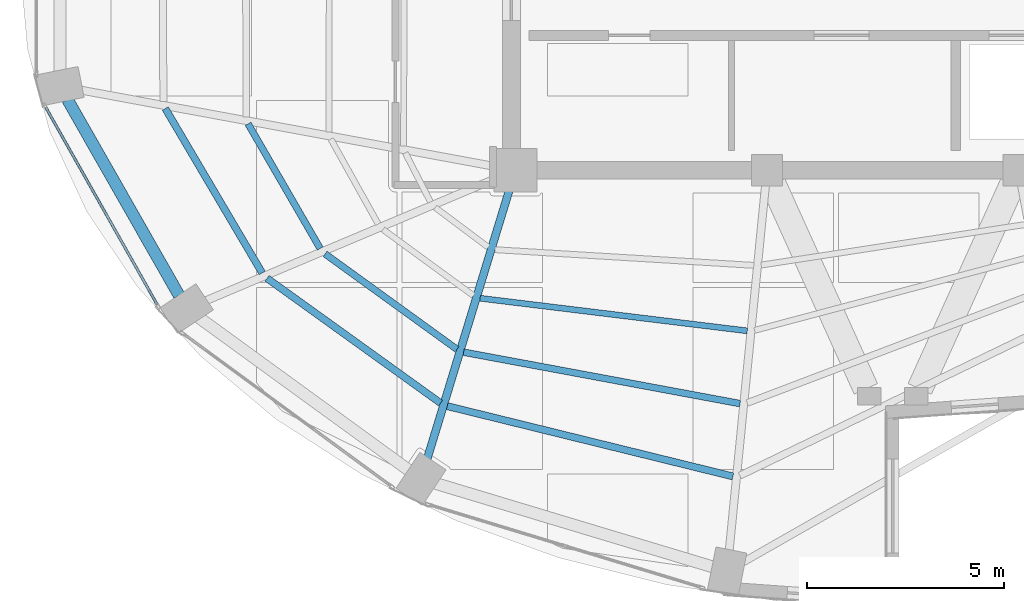
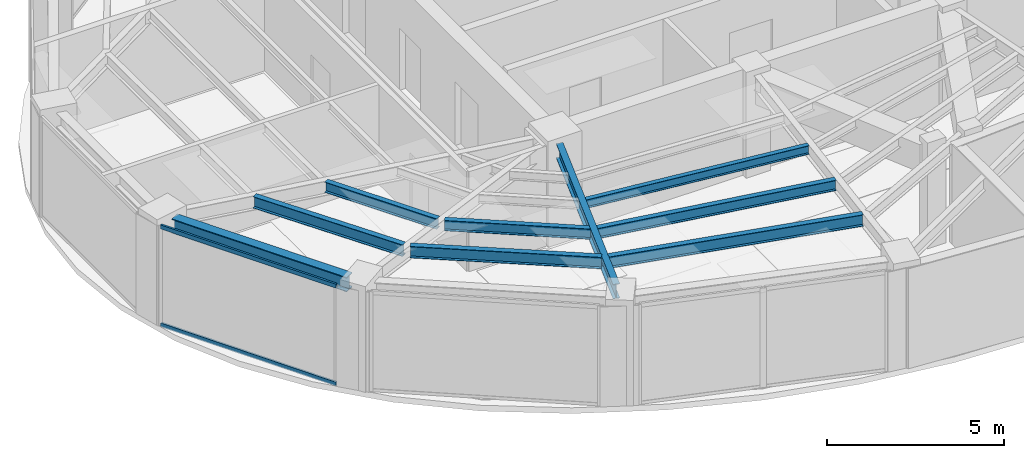
# One storey, part 3 of 23: 9 beams, 2 members, 1 element without a shape of its own.
"""IFC4 building model written with IfcOpenShell, lengths in metres."""

from ifc_helpers import new_model, si_unit, direction, frame, origin, origin_2d, place, context, subcontext, project, spatial, hollow_rectangle, i_section, extrude, material, layer, layer_set, material_profile, profile_set, type_object, element, aggregate, save


model = new_model("IFC4")

# Units and contexts
model_context = context("Model", 3, precision=1e-05, world=origin(), true_north=direction((0.0, 1.0)))
body_context = subcontext(model_context, "Body", "Model", "MODEL_VIEW")
ifc_project = project(units=[si_unit("LENGTHUNIT", "METRE"), si_unit("AREAUNIT", "SQUARE_METRE"), si_unit("VOLUMEUNIT", "CUBIC_METRE"), si_unit("PLANEANGLEUNIT", "RADIAN"), si_unit("MASSUNIT", "GRAM", prefix="KILO")], contexts=[model_context])

# Site, building, storey
site_placement = place(None, origin())
site = spatial("IfcSite", under=ifc_project, at=site_placement, CompositionType="ELEMENT")
building_placement = place(site_placement, origin())
building = spatial("IfcBuilding", under=site, at=building_placement, Name="Lazwardi Medical Tower", CompositionType="ELEMENT")
storey_placement = place(building_placement, frame((0.0, 0.0, 262.320068359375)))
storey = spatial("IfcBuildingStorey", under=building, at=storey_placement, Name="L68", CompositionType="ELEMENT", Elevation=262.320068359375)

# Beams
ifc_material_1 = material(Name="Steel S355", Category="steel")
ifc_material_profile_1 = material_profile(ifc_material_1, i_section(OverallWidth=0.300048828125, OverallDepth=0.5, WebThickness=0.014404296875, FlangeThickness=0.028076171875, at=origin_2d()), Name="HEB 500")
ifc_profile_set_1 = profile_set([ifc_material_profile_1], Name="Steel S355")
beam_type_1 = type_object("IfcBeamType", Name="BM-RB-Z4", PredefinedType="BEAM", material=ifc_profile_set_1)
beam_1_placement = place(storey_placement, frame((15.008056640625, 22.1982421875, 3.197998046875), z_axis=(0.495125273299, -0.868821594886, 0.0), x_axis=(0.868821594886, 0.495125273299, 0.0)))
element("IfcBeam", 1, at=beam_1_placement, inside=storey, type_object=beam_type_1, Name="Ring beam RB-05 B13 L68", PredefinedType="BEAM", context=body_context, shape_type="SweptSolid", body=[
    extrude(i_section(OverallWidth=0.300048828125, OverallDepth=0.5, WebThickness=0.014404296875, FlangeThickness=0.028076171875, at=origin_2d()), origin(), (0.0, 0.0, 1.0), 5.734130859375),
])
ifc_material_profile_2 = material_profile(ifc_material_1, i_section(OverallWidth=0.199951171875, OverallDepth=0.5, WebThickness=0.01025390625, FlangeThickness=0.01611328125, at=origin_2d()), Name="IPE 500")
ifc_profile_set_2 = profile_set([ifc_material_profile_2], Name="Steel S355")
beam_type_2 = type_object("IfcBeamType", Name="BM-RG-W3", PredefinedType="BEAM", material=ifc_profile_set_2)
beam_2_placement = place(storey_placement, frame((24.156005859375, 13.0576171875, 3.197998046875), z_axis=(0.292276716539, 0.956333791607, 0.0), x_axis=(-0.956333791607, 0.292276716539, 0.0)))
element("IfcBeam", 2, at=beam_2_placement, inside=storey, type_object=beam_type_2, Name="Radial girder RG-04 R15 L68", PredefinedType="BEAM", context=body_context, shape_type="SweptSolid", body=[
    extrude(i_section(OverallWidth=0.199951171875, OverallDepth=0.5, WebThickness=0.01025390625, FlangeThickness=0.01611328125, at=origin_2d()), origin(), (0.0, 0.0, 1.0), 7.142822265625),
])
ifc_material_profile_3 = material_profile(ifc_material_1, i_section(OverallWidth=0.179931640625, OverallDepth=0.39990234375, WebThickness=0.008544921875, FlangeThickness=0.013427734375, at=origin_2d()), Name="IPE 400")
ifc_profile_set_3 = profile_set([ifc_material_profile_3], Name="Steel S355")
beam_type_3 = type_object("IfcBeamType", Name="BM-SJ-01", PredefinedType="JOIST", material=ifc_profile_set_3)
beam_3_placement = place(storey_placement, frame((17.495849609375, 21.969482421875, 3.248046875), z_axis=(0.507710311367, -0.861527851977, 0.0), x_axis=(0.861527851977, 0.507710311367, 0.0)))
element("IfcBeam", 3, at=beam_3_placement, inside=storey, type_object=beam_type_3, Name="Secondary joist SJ-01 R1 B13 L68", PredefinedType="JOIST", context=body_context, shape_type="SweptSolid", body=[
    extrude(i_section(OverallWidth=0.179931640625, OverallDepth=0.39990234375, WebThickness=0.008544921875, FlangeThickness=0.013427734375, at=origin_2d()), origin(), (0.0, 0.0, 1.0), 4.852783203125),
])
beam_4_placement = place(storey_placement, frame((20.085205078125, 17.651123046875, 3.248046875), z_axis=(0.811889581337, -0.58381102055, 0.0), x_axis=(0.58381102055, 0.811889581337, 0.0)))
element("IfcBeam", 4, at=beam_4_placement, inside=storey, type_object=beam_type_3, Name="Secondary joist SJ-01 R1 B14 L68", PredefinedType="JOIST", context=body_context, shape_type="SweptSolid", body=[
    extrude(i_section(OverallWidth=0.179931640625, OverallDepth=0.39990234375, WebThickness=0.008544921875, FlangeThickness=0.013427734375, at=origin_2d()), origin(), (0.0, 0.0, 1.0), 5.433349609375),
])
beam_5_placement = place(storey_placement, frame((24.665771484375, 14.40087890625, 3.248046875), z_axis=(0.971041669317, -0.238910184904, 0.0), x_axis=(0.238910184904, 0.971041669317, 0.0)))
element("IfcBeam", 5, at=beam_5_placement, inside=storey, type_object=beam_type_3, Name="Secondary joist SJ-01 R1 B15 L68", PredefinedType="JOIST", context=body_context, shape_type="SweptSolid", body=[
    extrude(i_section(OverallWidth=0.179931640625, OverallDepth=0.39990234375, WebThickness=0.008544921875, FlangeThickness=0.013427734375, at=origin_2d()), origin(), (0.0, 0.0, 1.0), 7.482421875),
])
ifc_material_profile_4 = material_profile(ifc_material_1, i_section(OverallWidth=0.169921875, OverallDepth=0.360107421875, WebThickness=0.008056640625, FlangeThickness=0.0126953125, at=origin_2d()), Name="IPE 360")
ifc_profile_set_4 = profile_set([ifc_material_profile_4], Name="Steel S355")
beam_type_4 = type_object("IfcBeamType", Name="BM-SJ-02", PredefinedType="JOIST", material=ifc_profile_set_4)
beam_6_placement = place(storey_placement, frame((19.601806640625, 21.58056640625, 3.267822265625), z_axis=(0.500655179543, -0.865646805109, 0.0), x_axis=(0.865646805109, 0.500655179543, 0.0)))
element("IfcBeam", 6, at=beam_6_placement, inside=storey, type_object=beam_type_4, Name="Secondary joist SJ-02 R2 B13 L68", PredefinedType="JOIST", context=body_context, shape_type="SweptSolid", body=[
    extrude(i_section(OverallWidth=0.169921875, OverallDepth=0.360107421875, WebThickness=0.008056640625, FlangeThickness=0.0126953125, at=origin_2d()), origin(), (0.0, 0.0, 1.0), 3.662109375),
])
beam_7_placement = place(storey_placement, frame((21.559814453125, 18.2724609375, 3.267822265625), z_axis=(0.810164229155, -0.586202969796, 0.0), x_axis=(0.586202969796, 0.810164229155, 0.0)))
element("IfcBeam", 7, at=beam_7_placement, inside=storey, type_object=beam_type_4, Name="Secondary joist SJ-02 R2 B14 L68", PredefinedType="JOIST", context=body_context, shape_type="SweptSolid", body=[
    extrude(i_section(OverallWidth=0.169921875, OverallDepth=0.360107421875, WebThickness=0.008056640625, FlangeThickness=0.0126953125, at=origin_2d()), origin(), (0.0, 0.0, 1.0), 4.14013671875),
])
beam_8_placement = place(storey_placement, frame((25.08447265625, 15.7724609375, 3.267822265625), z_axis=(0.983132476587, -0.182894870019, 0.0), x_axis=(0.182894870019, 0.983132476587, 0.0)))
element("IfcBeam", 8, at=beam_8_placement, inside=storey, type_object=beam_type_4, Name="Secondary joist SJ-02 R2 B15 L68", PredefinedType="JOIST", context=body_context, shape_type="SweptSolid", body=[
    extrude(i_section(OverallWidth=0.169921875, OverallDepth=0.360107421875, WebThickness=0.008056640625, FlangeThickness=0.0126953125, at=origin_2d()), origin(), (0.0, 0.0, 1.0), 7.15087890625),
])
ifc_material_profile_5 = material_profile(ifc_material_1, i_section(OverallWidth=0.14990234375, OverallDepth=0.300048828125, WebThickness=0.007080078125, FlangeThickness=0.0107421875, at=origin_2d()), Name="IPE 300")
ifc_profile_set_5 = profile_set([ifc_material_profile_5], Name="Steel S355")
beam_type_5 = type_object("IfcBeamType", Name="BM-SJ-03", PredefinedType="JOIST", material=ifc_profile_set_5)
beam_9_placement = place(storey_placement, frame((25.5029296875, 17.14453125, 3.2978515625), z_axis=(0.992634689535, -0.121146081783, 0.0), x_axis=(0.121146081783, 0.992634689535, 0.0)))
element("IfcBeam", 9, at=beam_9_placement, inside=storey, type_object=beam_type_5, Name="Secondary joist SJ-03 R3 B15 L68", PredefinedType="JOIST", context=body_context, shape_type="SweptSolid", body=[
    extrude(i_section(OverallWidth=0.14990234375, OverallDepth=0.300048828125, WebThickness=0.007080078125, FlangeThickness=0.0107421875, at=origin_2d()), origin(), (0.0, 0.0, 1.0), 6.845947265625),
])

# Curtain wall, members
ifc_material_2 = material(Name="Anodised bronze aluminium and solar control glazing", Category="aluminium")
ifc_layer = layer(ifc_material_2, 0.18994140625)
ifc_layer_set = layer_set([ifc_layer], Name="Anodised bronze aluminium and solar control glazing")
curtain_wall_type = type_object("IfcCurtainWallType", Name="CW-SYS-04", PredefinedType="NOTDEFINED", material=ifc_layer_set)
curtain_wall_placement = place(storey_placement, origin())
curtain_wall = element("IfcCurtainWall", 10, at=curtain_wall_placement, inside=storey, type_object=curtain_wall_type, Name="L68 Unitised bronze curtain wall CW-04", PredefinedType="NOTDEFINED")
ifc_material_3 = material(Name="Anodised bronze aluminium", Category="aluminium")
ifc_material_profile_6 = material_profile(ifc_material_3, hollow_rectangle(XDim=0.06494140625, YDim=0.139892578125, WallThickness=0.00341796875, at=origin_2d()), Name="ALU-TRANSOM 140x65x3.5")
ifc_profile_set_6 = profile_set([ifc_material_profile_6], Name="Anodised bronze aluminium")
member_type = type_object("IfcMemberType", Name="CW-TRN-03", PredefinedType="USERDEFINED", material=ifc_profile_set_6)
member_1_placement = place(storey_placement, frame((14.458740234375, 21.993408203125, 0.032470703125), z_axis=(0.491897887635, -0.870652897623, 0.0), x_axis=(0.870652897623, 0.491897887635, 0.0)))
member_1 = element("IfcMember", 11, at=member_1_placement, type_object=member_type, Name="CW-04 transom 1.1", ObjectType="TRANSOM", PredefinedType="USERDEFINED", context=body_context, shape_type="SweptSolid", body=[
    extrude(hollow_rectangle(XDim=0.06494140625, YDim=0.139892578125, WallThickness=0.00341796875, at=origin_2d()), origin(), (0.0, 0.0, 1.0), 5.7548828125),
])
member_2_placement = place(storey_placement, frame((14.458740234375, 21.993408203125, 3.41552734375), z_axis=(0.491897887635, -0.870652897623, 0.0), x_axis=(0.870652897623, 0.491897887635, 0.0)))
member_2 = element("IfcMember", 12, at=member_2_placement, type_object=member_type, Name="CW-04 transom 1.2", ObjectType="TRANSOM", PredefinedType="USERDEFINED", context=body_context, shape_type="SweptSolid", body=[
    extrude(hollow_rectangle(XDim=0.06494140625, YDim=0.139892578125, WallThickness=0.00341796875, at=origin_2d()), origin(), (0.0, 0.0, 1.0), 5.7548828125),
])
aggregate(curtain_wall, [member_1, member_2])

save(model, "model.ifc")
